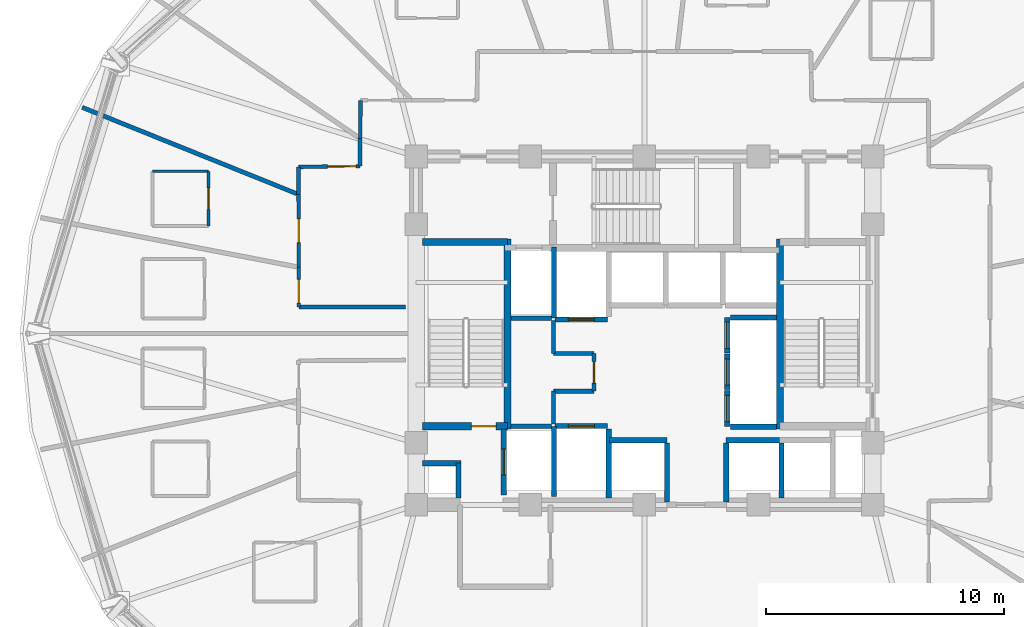
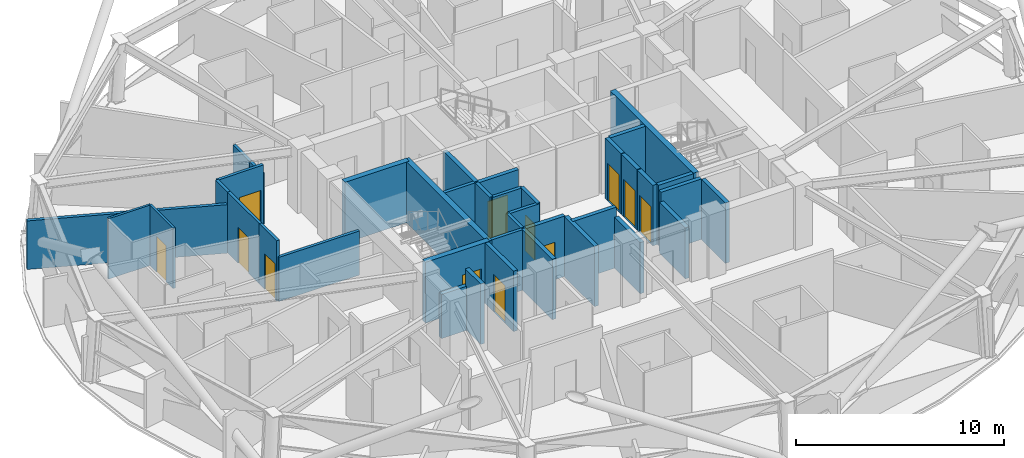
# One storey, part 7 of 14: 39 walls, 12 doors, 12 openings.
"""IFC4 building model written with IfcOpenShell, lengths in metres."""

from ifc_helpers import new_model, si_unit, direction, frame, frame_2d, origin, place, context, subcontext, project, spatial, rectangle, extrude, material, layer, layer_set, type_object, element, fill, save


model = new_model("IFC4")

# Units and contexts
model_context = context("Model", 3, precision=1e-05, world=origin(), true_north=direction((0.0, 1.0)))
body_context = subcontext(model_context, "Body", "Model", "MODEL_VIEW")
ifc_project = project(units=[si_unit("LENGTHUNIT", "METRE"), si_unit("AREAUNIT", "SQUARE_METRE"), si_unit("VOLUMEUNIT", "CUBIC_METRE"), si_unit("PLANEANGLEUNIT", "RADIAN"), si_unit("MASSUNIT", "GRAM", prefix="KILO")], contexts=[model_context])

# Site, building, storey
site_placement = place(None, origin())
site = spatial("IfcSite", under=ifc_project, at=site_placement, CompositionType="ELEMENT")
building_placement = place(site_placement, origin())
building = spatial("IfcBuilding", under=site, at=building_placement, Name="Vantalir Tower", CompositionType="ELEMENT")
storey_placement = place(building_placement, frame((0.0, 0.0, 112.199951171875)))
storey = spatial("IfcBuildingStorey", under=building, at=storey_placement, Name="L27", CompositionType="ELEMENT", Elevation=112.199951171875)

# Wall
ifc_material_1 = material(Name="Moisture-resistant en-suite partition", Category="gypsum")
ifc_layer_1 = layer(ifc_material_1, 0.125)
ifc_layer_set_1 = layer_set([ifc_layer_1], Name="Moisture-resistant en-suite partition")
wall_type_1 = type_object("IfcWallType", Name="WL-BATH-125", PredefinedType="PARTITIONING", material=ifc_layer_set_1)
wall_1_placement = place(storey_placement, frame((10.81396484375, 31.8291015625, 0.0), z_axis=(0.0, 0.0, 1.0), x_axis=(1.0, 0.0, 0.0)))
element("IfcWall", 1, at=wall_1_placement, inside=storey, type_object=wall_type_1, Name="L27 En-suite 09 North Wall", PredefinedType="PARTITIONING", context=body_context, shape_type="SweptSolid", body=[
    extrude(rectangle(XDim=2.35009765625, YDim=0.125, at=frame_2d((1.175048828125, 0.0))), origin(), (0.0, 0.0, 1.0), 3.550048828125),
])

# Wall, opening, door
wall_2_placement = place(storey_placement, frame((13.1640625, 29.529052734375, 0.0), z_axis=(0.0, 0.0, 1.0), x_axis=(0.0, 1.0, 0.0)))
wall_2 = element("IfcWall", 2, at=wall_2_placement, inside=storey, type_object=wall_type_1, Name="L27 En-suite 09 East Wall", PredefinedType="PARTITIONING", context=body_context, shape_type="SweptSolid", body=[
    extrude(rectangle(XDim=2.300048828125, YDim=0.125, at=frame_2d((1.14990234375, 0.0))), origin(), (0.0, 0.0, 1.0), 3.550048828125),
])
opening_1_placement = place(wall_2_placement, frame((0.699951171875, 0.0, 0.0)))
opening_1 = element("IfcOpeningElement", 3, at=opening_1_placement, cuts=wall_2, Name="Opening D-WC", PredefinedType="OPENING", context=body_context, shape_type="SweptSolid", body=[
    extrude(rectangle(XDim=0.89990234375, YDim=2.10009765625, at=frame_2d((0.449951171875, 1.050048828125))), frame((0.0, 0.072509765625, 0.0), z_axis=(0.0, -1.0, 0.0), x_axis=(1.0, 0.0, 0.0)), (0.0, 0.0, 1.0), 0.14501953125),
])
ifc_material_2 = material(Name="Moisture-resistant hardwood door", Category="wood")
door_type_1 = type_object("IfcDoorType", Name="DR-ENSUITE-900", OperationType="NOTDEFINED", PredefinedType="DOOR", material=ifc_material_2)
door_1_placement = place(opening_1_placement, origin())
door_1 = element("IfcDoor", 4, at=door_1_placement, inside=storey, type_object=door_type_1, Name="L27 En-suite 09 Door", OperationType="SINGLE_SWING_LEFT", OverallHeight=2.10009765625, OverallWidth=0.89990234375, PredefinedType="DOOR", context=body_context, shape_type="SweptSolid", body=[
    extrude(rectangle(XDim=0.89990234375, YDim=2.10009765625, at=frame_2d((0.449951171875, 1.050048828125))), frame((0.0, 0.02490234375, 0.0), z_axis=(0.0, -1.0, 0.0), x_axis=(1.0, 0.0, 0.0)), (0.0, 0.0, 1.0), 0.050048828125),
])
fill(opening_1, door_1)

# Wall
ifc_material_3 = material(Name="Fire-rated hotel corridor acoustic partition", Category="gypsum")
ifc_layer_2 = layer(ifc_material_3, 0.159912109375)
ifc_layer_set_2 = layer_set([ifc_layer_2], Name="Fire-rated hotel corridor acoustic partition")
wall_type_2 = type_object("IfcWallType", Name="WL-CORR-160", PredefinedType="PARTITIONING", material=ifc_layer_set_2)
wall_3_placement = place(storey_placement, frame((21.445068359375, 26.114990234375, 0.0), z_axis=(0.0, 0.0, 1.0), x_axis=(-0.999997504977, 0.00223383991, 0.0)))
element("IfcWall", 5, at=wall_3_placement, inside=storey, type_object=wall_type_2, Name="L27 Corridor Partition 01", PredefinedType="PARTITIONING", context=body_context, shape_type="SweptSolid", body=[
    extrude(rectangle(XDim=4.48095703125, YDim=0.159912109375, at=frame_2d((2.240478515625, 0.0))), origin(), (0.0, 0.0, 1.0), 2.594970703125),
])

# Wall, opening, door
wall_4_placement = place(storey_placement, frame((16.964111328125, 26.125, 0.0), z_axis=(0.0, 0.0, 1.0), x_axis=(-0.001317329068, 0.999999132322, 0.0)))
wall_4 = element("IfcWall", 6, at=wall_4_placement, inside=storey, type_object=wall_type_2, Name="L27 Corridor Partition 02", PredefinedType="PARTITIONING", context=body_context, shape_type="SweptSolid", body=[
    extrude(rectangle(XDim=1.66796875, YDim=0.159912109375, at=frame_2d((0.833984375, 0.0))), origin(), (0.0, 0.0, 1.0), 3.550048828125),
])
opening_2_placement = place(wall_4_placement, frame((0.159912109375, 0.0, 0.0)))
opening_2 = element("IfcOpeningElement", 7, at=opening_2_placement, cuts=wall_4, Name="Opening D-GUEST", PredefinedType="OPENING", context=body_context, shape_type="SweptSolid", body=[
    extrude(rectangle(XDim=1.0, YDim=2.10009765625, at=frame_2d((0.5, 1.050048828125))), frame((0.0, 0.08984375, 0.0), z_axis=(0.0, -1.0, 0.0), x_axis=(1.0, 0.0, 0.0)), (0.0, 0.0, 1.0), 0.179931640625),
])
ifc_material_4 = material(Name="Solid-core teak veneer acoustic fire door", Category="wood")
door_type_2 = type_object("IfcDoorType", Name="DR-GUEST-ENTRY-1000", OperationType="NOTDEFINED", PredefinedType="DOOR", material=ifc_material_4)
door_2_placement = place(opening_2_placement, origin())
door_2 = element("IfcDoor", 8, at=door_2_placement, inside=storey, type_object=door_type_2, Name="L27 Deluxe King Hotel Room 10 Door", OperationType="SINGLE_SWING_RIGHT", OverallHeight=2.10009765625, OverallWidth=1.0, PredefinedType="DOOR", context=body_context, shape_type="SweptSolid", body=[
    extrude(rectangle(XDim=1.0, YDim=2.10009765625, at=frame_2d((0.5, 1.050048828125))), frame((0.0, 0.02490234375, 0.0), z_axis=(0.0, -1.0, 0.0), x_axis=(1.0, 0.0, 0.0)), (0.0, 0.0, 1.0), 0.050048828125),
])
fill(opening_2, door_2)

wall_5_placement = place(storey_placement, frame((16.9619140625, 27.79296875, 0.0), z_axis=(0.0, 0.0, 1.0), x_axis=(-0.001276934314, 0.999999184719, 0.0)))
wall_5 = element("IfcWall", 9, at=wall_5_placement, inside=storey, type_object=wall_type_2, Name="L27 Corridor Partition 03", PredefinedType="PARTITIONING", context=body_context, shape_type="SweptSolid", body=[
    extrude(rectangle(XDim=3.05908203125, YDim=0.159912109375, at=frame_2d((1.529541015625, 0.0))), origin(), (0.0, 0.0, 1.0), 3.550048828125),
])
opening_3_placement = place(wall_5_placement, frame((1.030029296875, 0.0, 0.0)))
opening_3 = element("IfcOpeningElement", 10, at=opening_3_placement, cuts=wall_5, Name="Opening D-GUEST", PredefinedType="OPENING", context=body_context, shape_type="SweptSolid", body=[
    extrude(rectangle(XDim=1.0, YDim=2.10009765625, at=frame_2d((0.5, 1.050048828125))), frame((0.0, 0.08984375, 0.0), z_axis=(0.0, -1.0, 0.0), x_axis=(1.0, 0.0, 0.0)), (0.0, 0.0, 1.0), 0.179931640625),
])
door_3_placement = place(opening_3_placement, origin())
door_3 = element("IfcDoor", 11, at=door_3_placement, inside=storey, type_object=door_type_2, Name="L27 Twin Queen Hotel Room 09 Door", OperationType="SINGLE_SWING_LEFT", OverallHeight=2.10009765625, OverallWidth=1.0, PredefinedType="DOOR", context=body_context, shape_type="SweptSolid", body=[
    extrude(rectangle(XDim=1.0, YDim=2.10009765625, at=frame_2d((0.5, 1.050048828125))), frame((0.0, 0.02490234375, 0.0), z_axis=(0.0, -1.0, 0.0), x_axis=(1.0, 0.0, 0.0)), (0.0, 0.0, 1.0), 0.050048828125),
])
fill(opening_3, door_3)

# Wall
wall_6_placement = place(storey_placement, frame((16.9580078125, 30.85205078125, 0.0), z_axis=(0.0, 0.0, 1.0), x_axis=(-0.000841927717, 0.999999645579, 0.0)))
element("IfcWall", 12, at=wall_6_placement, inside=storey, type_object=wall_type_2, Name="L27 Corridor Partition 04", PredefinedType="PARTITIONING", context=body_context, shape_type="SweptSolid", body=[
    extrude(rectangle(XDim=1.159912109375, YDim=0.159912109375, at=frame_2d((0.580078125, 0.0))), origin(), (0.0, 0.0, 1.0), 3.550048828125),
])

# Wall, opening, door
wall_7_placement = place(storey_placement, frame((16.95703125, 32.011962890625, 0.0), z_axis=(0.0, 0.0, 1.0), x_axis=(0.999940696344, 0.01089053699, 0.0)))
wall_7 = element("IfcWall", 13, at=wall_7_placement, inside=storey, type_object=wall_type_2, Name="L27 Corridor Partition 05", PredefinedType="PARTITIONING", context=body_context, shape_type="SweptSolid", body=[
    extrude(rectangle(XDim=2.578125, YDim=0.159912109375, at=frame_2d((1.2890625, 0.0))), origin(), (0.0, 0.0, 1.0), 3.550048828125),
])
opening_4_placement = place(wall_7_placement, frame((1.218017578125, 0.0, 0.0)))
opening_4 = element("IfcOpeningElement", 14, at=opening_4_placement, cuts=wall_7, Name="Opening D-STE", PredefinedType="OPENING", context=body_context, shape_type="SweptSolid", body=[
    extrude(rectangle(XDim=1.199951171875, YDim=2.10009765625, at=frame_2d((0.60009765625, 1.050048828125))), frame((0.0, 0.08984375, 0.0), z_axis=(0.0, -1.0, 0.0), x_axis=(1.0, 0.0, 0.0)), (0.0, 0.0, 1.0), 0.179931640625),
])
ifc_material_5 = material(Name="Solid-core teak veneer suite entrance door", Category="wood")
door_type_3 = type_object("IfcDoorType", Name="DR-SUITE-ENTRY-1200", OperationType="NOTDEFINED", PredefinedType="DOOR", material=ifc_material_5)
door_4_placement = place(opening_4_placement, origin())
door_4 = element("IfcDoor", 15, at=door_4_placement, inside=storey, type_object=door_type_3, Name="L27 Club Reading Lounge 08 Door", OperationType="SINGLE_SWING_RIGHT", OverallHeight=2.10009765625, OverallWidth=1.199951171875, PredefinedType="DOOR", context=body_context, shape_type="SweptSolid", body=[
    extrude(rectangle(XDim=1.199951171875, YDim=2.10009765625, at=frame_2d((0.60009765625, 1.050048828125))), frame((0.0, 0.02490234375, 0.0), z_axis=(0.0, -1.0, 0.0), x_axis=(1.0, 0.0, 0.0)), (0.0, 0.0, 1.0), 0.050048828125),
])
fill(opening_4, door_4)

# Walls
wall_8_placement = place(storey_placement, frame((19.534912109375, 32.0400390625, 0.0), z_axis=(0.0, 0.0, 1.0), x_axis=(0.0086149356, 0.999962890754, 0.0)))
element("IfcWall", 16, at=wall_8_placement, inside=storey, type_object=wall_type_2, Name="L27 Corridor Partition 06", PredefinedType="PARTITIONING", context=body_context, shape_type="SweptSolid", body=[
    extrude(rectangle(XDim=1.161865234375, YDim=0.159912109375, at=frame_2d((0.5810546875, 0.0))), origin(), (0.0, 0.0, 1.0), 3.006103515625),
])
wall_9_placement = place(storey_placement, frame((19.544921875, 33.201904296875, 0.0), z_axis=(0.0, 0.0, 1.0), x_axis=(0.009400646005, 0.999955812951, 0.0)))
element("IfcWall", 17, at=wall_9_placement, inside=storey, type_object=wall_type_2, Name="L27 Corridor Partition 07", PredefinedType="PARTITIONING", context=body_context, shape_type="SweptSolid", body=[
    extrude(rectangle(XDim=1.610107421875, YDim=0.159912109375, at=frame_2d((0.80517578125, 0.0))), origin(), (0.0, 0.0, 1.0), 3.006103515625),
])
ifc_material_6 = material(Name="Concrete blockwork with fireboard lining", Category="masonry")
ifc_layer_3 = layer(ifc_material_6, 0.219970703125)
ifc_layer_set_3 = layer_set([ifc_layer_3], Name="Concrete blockwork with fireboard lining")
wall_type_3 = type_object("IfcWallType", Name="WL-FFL-220", PredefinedType="PARTITIONING", material=ifc_layer_set_3)
wall_10_placement = place(storey_placement, frame((30.0, 18.080078125, 0.0), z_axis=(0.0, 0.0, 1.0), x_axis=(0.0, 1.0, 0.0)))
element("IfcWall", 18, at=wall_10_placement, inside=storey, type_object=wall_type_3, Name="L27 Service Lift SV1 East Shaft Wall", PredefinedType="PARTITIONING", context=body_context, shape_type="SweptSolid", body=[
    extrude(rectangle(XDim=2.89990234375, YDim=0.219970703125, at=frame_2d((1.449951171875, 0.0))), origin(), (0.0, 0.0, 1.0), 3.545166015625),
])
for number, where, z_axis, x_axis, name in (
    (19, (32.449951171875, 17.919921875, 0.0), (0.0, 0.0, 1.0), (0.0, 1.0, 0.0), "L27 Shuttle Lift PL-X1 East Shaft Cheek"),
    (20, (34.949951171875, 17.919921875, 0.0), (0.0, 0.0, 1.0), (0.0, 1.0, 0.0), "L27 Shuttle Lift PL-X3 West Shaft Cheek"),
):
    element("IfcWall", number, at=place(storey_placement, frame(where, z_axis=z_axis, x_axis=x_axis)), inside=storey, type_object=wall_type_3, Name=name, PredefinedType="PARTITIONING", context=body_context, shape_type="SweptSolid", body=[
        extrude(rectangle(XDim=2.469970703125, YDim=0.219970703125, at=frame_2d((1.23486328125, 0.0))), origin(), (0.0, 0.0, 1.0), 3.006103515625),
    ])
wall_11_placement = place(storey_placement, frame((37.27490234375, 18.080078125, 0.0), z_axis=(0.0, 0.0, 1.0), x_axis=(0.0, 1.0, 0.0)))
element("IfcWall", 21, at=wall_11_placement, inside=storey, type_object=wall_type_3, Name="L27 Shuttle Lift PL-X2/X3 Shaft Divider", PredefinedType="PARTITIONING", context=body_context, shape_type="SweptSolid", body=[
    extrude(rectangle(XDim=2.309814453125, YDim=0.219970703125, at=frame_2d((1.15478515625, 0.0))), origin(), (0.0, 0.0, 1.0), 3.545166015625),
])
wall_12_placement = place(storey_placement, frame((23.679931640625, 18.074951171875, 0.0), z_axis=(0.0, 0.0, 1.0), x_axis=(0.0, 1.0, 0.0)))
element("IfcWall", 22, at=wall_12_placement, inside=storey, type_object=wall_type_3, Name="L27 West MEP Riser Wall E", PredefinedType="PARTITIONING", context=body_context, shape_type="SweptSolid", body=[
    extrude(rectangle(XDim=1.47509765625, YDim=0.219970703125, at=frame_2d((0.737548828125, 0.0))), origin(), (0.0, 0.0, 1.0), 3.550048828125),
])
wall_13_placement = place(storey_placement, frame((22.175048828125, 19.550048828125, 0.0), z_axis=(0.0, 0.0, 1.0), x_axis=(1.0, 0.0, 0.0)))
element("IfcWall", 23, at=wall_13_placement, inside=storey, type_object=wall_type_3, Name="L27 West MEP Riser Wall N", PredefinedType="PARTITIONING", context=body_context, shape_type="SweptSolid", body=[
    extrude(rectangle(XDim=1.614990234375, YDim=0.219970703125, at=frame_2d((0.8076171875, 0.0))), origin(), (0.0, 0.0, 1.0), 2.594970703125),
])

# Wall, opening, door
wall_14_placement = place(storey_placement, frame((25.590087890625, 18.219970703125, 0.0), z_axis=(0.0, 0.0, 1.0), x_axis=(0.0, 1.0, 0.0)))
wall_14 = element("IfcWall", 24, at=wall_14_placement, inside=storey, type_object=wall_type_3, Name="L27 Lift FL1 Shaft Front Wall", PredefinedType="PARTITIONING", context=body_context, shape_type="SweptSolid", body=[
    extrude(rectangle(XDim=2.760009765625, YDim=0.219970703125, at=frame_2d((1.3798828125, 0.0))), origin(), (0.0, 0.0, 1.0), 3.550048828125),
])
opening_5_placement = place(wall_14_placement, frame((0.830078125, 0.0, 0.0)))
opening_5 = element("IfcOpeningElement", 25, at=opening_5_placement, cuts=wall_14, Name="Opening LD-FL1", PredefinedType="OPENING", context=body_context, shape_type="SweptSolid", body=[
    extrude(rectangle(XDim=1.10009765625, YDim=2.199951171875, at=frame_2d((0.550048828125, 1.10009765625))), frame((0.0, 0.119873046875, 0.0), z_axis=(0.0, -1.0, 0.0), x_axis=(1.0, 0.0, 0.0)), (0.0, 0.0, 1.0), 0.239990234375),
])
ifc_material_7 = material(Name="Brushed stainless-steel sliding lift landing door", Category="steel")
door_type_4 = type_object("IfcDoorType", Name="DR-LIFT-LANDING-1100", OperationType="DOUBLE_DOOR_SLIDING", PredefinedType="DOOR", material=ifc_material_7)
door_5_placement = place(opening_5_placement, origin())
door_5 = element("IfcDoor", 26, at=door_5_placement, inside=storey, type_object=door_type_4, Name="L27 Lift Landing Door FL1", OperationType="DOUBLE_DOOR_SLIDING", OverallHeight=2.199951171875, OverallWidth=1.10009765625, PredefinedType="DOOR", context=body_context, shape_type="SweptSolid", body=[
    extrude(rectangle(XDim=1.10009765625, YDim=2.199951171875, at=frame_2d((0.550048828125, 1.10009765625))), frame((0.0, 0.02490234375, 0.0), z_axis=(0.0, -1.0, 0.0), x_axis=(1.0, 0.0, 0.0)), (0.0, 0.0, 1.0), 0.050048828125),
])
fill(opening_5, door_5)

wall_15_placement = place(storey_placement, frame((27.739990234375, 21.110107421875, 0.0), z_axis=(0.0, 0.0, 1.0), x_axis=(1.0, 0.0, 0.0)))
wall_15 = element("IfcWall", 27, at=wall_15_placement, inside=storey, type_object=wall_type_3, Name="L27 Lift SV1 Shaft Front Wall", PredefinedType="PARTITIONING", context=body_context, shape_type="SweptSolid", body=[
    extrude(rectangle(XDim=2.219970703125, YDim=0.219970703125, at=frame_2d((1.10986328125, 0.0))), origin(), (0.0, 0.0, 1.0), 3.550048828125),
])
opening_6_placement = place(wall_15_placement, frame((0.56005859375, 0.0, 0.0)))
opening_6 = element("IfcOpeningElement", 28, at=opening_6_placement, cuts=wall_15, Name="Opening LD-SV1", PredefinedType="OPENING", context=body_context, shape_type="SweptSolid", body=[
    extrude(rectangle(XDim=1.10009765625, YDim=2.199951171875, at=frame_2d((0.550048828125, 1.10009765625))), frame((0.0, 0.119873046875, 0.0), z_axis=(0.0, -1.0, 0.0), x_axis=(1.0, 0.0, 0.0)), (0.0, 0.0, 1.0), 0.239990234375),
])
door_6_placement = place(opening_6_placement, origin())
door_6 = element("IfcDoor", 29, at=door_6_placement, inside=storey, type_object=door_type_4, Name="L27 Lift Landing Door SV1", OperationType="DOUBLE_DOOR_SLIDING", OverallHeight=2.199951171875, OverallWidth=1.10009765625, PredefinedType="DOOR", context=body_context, shape_type="SweptSolid", body=[
    extrude(rectangle(XDim=1.10009765625, YDim=2.199951171875, at=frame_2d((0.550048828125, 1.10009765625))), frame((0.0, 0.02490234375, 0.0), z_axis=(0.0, -1.0, 0.0), x_axis=(1.0, 0.0, 0.0)), (0.0, 0.0, 1.0), 0.050048828125),
])
fill(opening_6, door_6)

wall_16_placement = place(storey_placement, frame((27.739990234375, 25.590087890625, 0.0), z_axis=(0.0, 0.0, 1.0), x_axis=(1.0, 0.0, 0.0)))
wall_16 = element("IfcWall", 30, at=wall_16_placement, inside=storey, type_object=wall_type_3, Name="L27 Lift SV2 Shaft Front Wall", PredefinedType="PARTITIONING", context=body_context, shape_type="SweptSolid", body=[
    extrude(rectangle(XDim=2.219970703125, YDim=0.219970703125, at=frame_2d((1.10986328125, 0.0))), origin(), (0.0, 0.0, 1.0), 3.550048828125),
])
opening_7_placement = place(wall_16_placement, frame((0.56005859375, 0.0, 0.0)))
opening_7 = element("IfcOpeningElement", 31, at=opening_7_placement, cuts=wall_16, Name="Opening LD-SV2", PredefinedType="OPENING", context=body_context, shape_type="SweptSolid", body=[
    extrude(rectangle(XDim=1.10009765625, YDim=2.199951171875, at=frame_2d((0.550048828125, 1.10009765625))), frame((0.0, 0.119873046875, 0.0), z_axis=(0.0, -1.0, 0.0), x_axis=(1.0, 0.0, 0.0)), (0.0, 0.0, 1.0), 0.239990234375),
])
door_7_placement = place(opening_7_placement, frame((1.10009765625, 0.0, 0.0), z_axis=(0.0, 0.0, 1.0), x_axis=(-1.0, 0.0, 0.0)))
door_7 = element("IfcDoor", 32, at=door_7_placement, inside=storey, type_object=door_type_4, Name="L27 Lift Landing Door SV2", OperationType="DOUBLE_DOOR_SLIDING", OverallHeight=2.199951171875, OverallWidth=1.10009765625, PredefinedType="DOOR", context=body_context, shape_type="SweptSolid", body=[
    extrude(rectangle(XDim=1.10009765625, YDim=2.199951171875, at=frame_2d((0.550048828125, 1.10009765625))), frame((0.0, 0.02490234375, 0.0), z_axis=(0.0, -1.0, 0.0), x_axis=(1.0, 0.0, 0.0)), (0.0, 0.0, 1.0), 0.050048828125),
])
fill(opening_7, door_7)

# Walls
wall_17_placement = place(storey_placement, frame((30.0400390625, 20.510009765625, 0.0), z_axis=(0.0, 0.0, 1.0), x_axis=(1.0, 0.0, 0.0)))
element("IfcWall", 33, at=wall_17_placement, inside=storey, type_object=wall_type_3, Name="L27 Lift PL-X1 Shaft Front Wall", PredefinedType="PARTITIONING", context=body_context, shape_type="SweptSolid", body=[
    extrude(rectangle(XDim=2.419921875, YDim=0.219970703125, at=frame_2d((1.2099609375, 0.0))), origin(), (0.0, 0.0, 1.0), 3.550048828125),
])
wall_18_placement = place(storey_placement, frame((34.93994140625, 20.510009765625, 0.0), z_axis=(0.0, 0.0, 1.0), x_axis=(1.0, 0.0, 0.0)))
element("IfcWall", 34, at=wall_18_placement, inside=storey, type_object=wall_type_3, Name="L27 Lift PL-X3 Shaft Front Wall", PredefinedType="PARTITIONING", context=body_context, shape_type="SweptSolid", body=[
    extrude(rectangle(XDim=2.239990234375, YDim=0.219970703125, at=frame_2d((1.1201171875, 0.0))), origin(), (0.0, 0.0, 1.0), 3.550048828125),
])

# Wall, opening, door
wall_19_placement = place(storey_placement, frame((34.989990234375, 21.10009765625, 0.0), z_axis=(0.0, 0.0, 1.0), x_axis=(0.0, 1.0, 0.0)))
wall_19 = element("IfcWall", 35, at=wall_19_placement, inside=storey, type_object=wall_type_3, Name="L27 Lift PL-M1 Shaft Front Wall", PredefinedType="PARTITIONING", context=body_context, shape_type="SweptSolid", body=[
    extrude(rectangle(XDim=1.5, YDim=0.219970703125, at=frame_2d((0.75, 0.0))), origin(), (0.0, 0.0, 1.0), 3.550048828125),
])
opening_8_placement = place(wall_19_placement, frame((0.199951171875, 0.0, 0.0)))
opening_8 = element("IfcOpeningElement", 36, at=opening_8_placement, cuts=wall_19, Name="Opening LD-PL-M1", PredefinedType="OPENING", context=body_context, shape_type="SweptSolid", body=[
    extrude(rectangle(XDim=1.10009765625, YDim=2.199951171875, at=frame_2d((0.550048828125, 1.10009765625))), frame((0.0, 0.119873046875, 0.0), z_axis=(0.0, -1.0, 0.0), x_axis=(1.0, 0.0, 0.0)), (0.0, 0.0, 1.0), 0.239990234375),
])
door_8_placement = place(opening_8_placement, origin())
door_8 = element("IfcDoor", 37, at=door_8_placement, inside=storey, type_object=door_type_4, Name="L27 Lift Landing Door PL-M1", OperationType="DOUBLE_DOOR_SLIDING", OverallHeight=2.199951171875, OverallWidth=1.10009765625, PredefinedType="DOOR", context=body_context, shape_type="SweptSolid", body=[
    extrude(rectangle(XDim=1.10009765625, YDim=2.199951171875, at=frame_2d((0.550048828125, 1.10009765625))), frame((0.0, 0.02490234375, 0.0), z_axis=(0.0, -1.0, 0.0), x_axis=(1.0, 0.0, 0.0)), (0.0, 0.0, 1.0), 0.050048828125),
])
fill(opening_8, door_8)

wall_20_placement = place(storey_placement, frame((34.989990234375, 22.639892578125, 0.0), z_axis=(0.0, 0.0, 1.0), x_axis=(0.0, 1.0, 0.0)))
wall_20 = element("IfcWall", 38, at=wall_20_placement, inside=storey, type_object=wall_type_3, Name="L27 Lift PL-M2 Shaft Front Wall", PredefinedType="PARTITIONING", context=body_context, shape_type="SweptSolid", body=[
    extrude(rectangle(XDim=1.5, YDim=0.219970703125, at=frame_2d((0.75, 0.0))), origin(), (0.0, 0.0, 1.0), 3.550048828125),
])
opening_9_placement = place(wall_20_placement, frame((0.199951171875, 0.0, 0.0)))
opening_9 = element("IfcOpeningElement", 39, at=opening_9_placement, cuts=wall_20, Name="Opening LD-PL-M2", PredefinedType="OPENING", context=body_context, shape_type="SweptSolid", body=[
    extrude(rectangle(XDim=1.10009765625, YDim=2.199951171875, at=frame_2d((0.550048828125, 1.10009765625))), frame((0.0, 0.119873046875, 0.0), z_axis=(0.0, -1.0, 0.0), x_axis=(1.0, 0.0, 0.0)), (0.0, 0.0, 1.0), 0.239990234375),
])
door_9_placement = place(opening_9_placement, origin())
door_9 = element("IfcDoor", 40, at=door_9_placement, inside=storey, type_object=door_type_4, Name="L27 Lift Landing Door PL-M2", OperationType="DOUBLE_DOOR_SLIDING", OverallHeight=2.199951171875, OverallWidth=1.10009765625, PredefinedType="DOOR", context=body_context, shape_type="SweptSolid", body=[
    extrude(rectangle(XDim=1.10009765625, YDim=2.199951171875, at=frame_2d((0.550048828125, 1.10009765625))), frame((0.0, 0.02490234375, 0.0), z_axis=(0.0, -1.0, 0.0), x_axis=(1.0, 0.0, 0.0)), (0.0, 0.0, 1.0), 0.050048828125),
])
fill(opening_9, door_9)

wall_21_placement = place(storey_placement, frame((34.989990234375, 24.179931640625, 0.0), z_axis=(0.0, 0.0, 1.0), x_axis=(0.0, 1.0, 0.0)))
wall_21 = element("IfcWall", 41, at=wall_21_placement, inside=storey, type_object=wall_type_3, Name="L27 Lift PL-M3 Shaft Front Wall", PredefinedType="PARTITIONING", context=body_context, shape_type="SweptSolid", body=[
    extrude(rectangle(XDim=1.5, YDim=0.219970703125, at=frame_2d((0.75, 0.0))), origin(), (0.0, 0.0, 1.0), 3.550048828125),
])
opening_10_placement = place(wall_21_placement, frame((0.199951171875, 0.0, 0.0)))
opening_10 = element("IfcOpeningElement", 42, at=opening_10_placement, cuts=wall_21, Name="Opening LD-PL-M3", PredefinedType="OPENING", context=body_context, shape_type="SweptSolid", body=[
    extrude(rectangle(XDim=1.10009765625, YDim=2.199951171875, at=frame_2d((0.550048828125, 1.10009765625))), frame((0.0, 0.119873046875, 0.0), z_axis=(0.0, -1.0, 0.0), x_axis=(1.0, 0.0, 0.0)), (0.0, 0.0, 1.0), 0.239990234375),
])
door_10_placement = place(opening_10_placement, origin())
door_10 = element("IfcDoor", 43, at=door_10_placement, inside=storey, type_object=door_type_4, Name="L27 Lift Landing Door PL-M3", OperationType="DOUBLE_DOOR_SLIDING", OverallHeight=2.199951171875, OverallWidth=1.10009765625, PredefinedType="DOOR", context=body_context, shape_type="SweptSolid", body=[
    extrude(rectangle(XDim=1.10009765625, YDim=2.199951171875, at=frame_2d((0.550048828125, 1.10009765625))), frame((0.0, 0.02490234375, 0.0), z_axis=(0.0, -1.0, 0.0), x_axis=(1.0, 0.0, 0.0)), (0.0, 0.0, 1.0), 0.050048828125),
])
fill(opening_10, door_10)

# Walls
wall_22_placement = place(storey_placement, frame((27.699951171875, 18.14990234375, 0.0), z_axis=(0.0, 0.0, 1.0), x_axis=(0.0, 1.0, 0.0)))
element("IfcWall", 44, at=wall_22_placement, inside=storey, type_object=wall_type_3, Name="L27 Fire Lift FL1 Dividing Wall", PredefinedType="PARTITIONING", context=body_context, shape_type="SweptSolid", body=[
    extrude(rectangle(XDim=2.9501953125, YDim=0.219970703125, at=frame_2d((1.47509765625, 0.0))), origin(), (0.0, 0.0, 1.0), 3.550048828125),
])
wall_23_placement = place(storey_placement, frame((27.699951171875, 25.64990234375, 0.0), z_axis=(0.0, 0.0, 1.0), x_axis=(0.0, 1.0, 0.0)))
element("IfcWall", 45, at=wall_23_placement, inside=storey, type_object=wall_type_3, Name="L27 Fire Lift FL2 Dividing Wall", PredefinedType="PARTITIONING", context=body_context, shape_type="SweptSolid", body=[
    extrude(rectangle(XDim=3.0, YDim=0.219970703125, at=frame_2d((1.5, 0.0))), origin(), (0.0, 0.0, 1.0), 3.550048828125),
])
for number, where, z_axis, x_axis, name in (
    (46, (35.1201171875, 21.080078125, 0.0), (0.0, 0.0, 1.0), (1.0, 0.0, 0.0), "L27 Mid-Rise Bank South Wall"),
    (47, (35.1201171875, 25.679931640625, 0.0), (0.0, 0.0, 1.0), (1.0, 0.0, 0.0), "L27 Mid-Rise Bank North Wall"),
):
    element("IfcWall", number, at=place(storey_placement, frame(where, z_axis=z_axis, x_axis=x_axis)), inside=storey, type_object=wall_type_3, Name=name, PredefinedType="PARTITIONING", context=body_context, shape_type="SweptSolid", body=[
        extrude(rectangle(XDim=1.93994140625, YDim=0.219970703125, at=frame_2d((0.969970703125, 0.0))), origin(), (0.0, 0.0, 1.0), 3.550048828125),
    ])
ifc_material_8 = material(Name="Twin-stud acoustic fire-rated gypsum partition", Category="gypsum")
ifc_layer_4 = layer(ifc_material_8, 0.179931640625)
ifc_layer_set_4 = layer_set([ifc_layer_4], Name="Twin-stud acoustic fire-rated gypsum partition")
wall_type_4 = type_object("IfcWallType", Name="WL-GUEST-180", PredefinedType="PARTITIONING", material=ifc_layer_set_4)
for number, where, z_axis, x_axis, name in (
    (48, (25.889892578125, 21.10009765625, 0.0), (0.0, 0.0, 1.0), (1.0, 0.0, 0.0), "L27 Freed West Core South Wall"),
    (49, (25.889892578125, 25.64990234375, 0.0), (0.0, 0.0, 1.0), (1.0, 0.0, 0.0), "L27 Freed West Core North Wall"),
):
    element("IfcWall", number, at=place(storey_placement, frame(where, z_axis=z_axis, x_axis=x_axis)), inside=storey, type_object=wall_type_4, Name=name, PredefinedType="PARTITIONING", context=body_context, shape_type="SweptSolid", body=[
        extrude(rectangle(XDim=1.7001953125, YDim=0.179931640625, at=frame_2d((0.85009765625, 0.0))), origin(), (0.0, 0.0, 1.0), 3.550048828125),
    ])
wall_24_placement = place(storey_placement, frame((27.679931640625, 21.18994140625, 0.0), z_axis=(0.0, 0.0, 1.0), x_axis=(0.0, 1.0, 0.0)))
element("IfcWall", 50, at=wall_24_placement, inside=storey, type_object=wall_type_4, Name="L27 West IT Room Lower East Wall", PredefinedType="PARTITIONING", context=body_context, shape_type="SweptSolid", body=[
    extrude(rectangle(XDim=1.39013671875, YDim=0.179931640625, at=frame_2d((0.695068359375, 0.0))), origin(), (0.0, 0.0, 1.0), 3.550048828125),
])
wall_25_placement = place(storey_placement, frame((27.679931640625, 22.580078125, 0.0), z_axis=(0.0, 0.0, 1.0), x_axis=(1.0, 0.0, 0.0)))
element("IfcWall", 51, at=wall_25_placement, inside=storey, type_object=wall_type_4, Name="L27 West IT Room Alcove South Wall", PredefinedType="PARTITIONING", context=body_context, shape_type="SweptSolid", body=[
    extrude(rectangle(XDim=1.699951171875, YDim=0.179931640625, at=frame_2d((0.85009765625, 0.0))), origin(), (0.0, 0.0, 1.0), 3.550048828125),
])

# Wall, opening, door
wall_26_placement = place(storey_placement, frame((29.3798828125, 22.580078125, 0.0), z_axis=(0.0, 0.0, 1.0), x_axis=(0.0, 1.0, 0.0)))
wall_26 = element("IfcWall", 52, at=wall_26_placement, inside=storey, type_object=wall_type_4, Name="L27 West IT Room Alcove East Wall", PredefinedType="PARTITIONING", context=body_context, shape_type="SweptSolid", body=[
    extrude(rectangle(XDim=1.579833984375, YDim=0.179931640625, at=frame_2d((0.7900390625, 0.0))), origin(), (0.0, 0.0, 1.0), 3.550048828125),
])
opening_11_placement = place(wall_26_placement, frame((0.340087890625, 0.0, 0.0)))
opening_11 = element("IfcOpeningElement", 53, at=opening_11_placement, cuts=wall_26, Name="Opening D-CR", PredefinedType="OPENING", context=body_context, shape_type="SweptSolid", body=[
    extrude(rectangle(XDim=0.89990234375, YDim=2.10009765625, at=frame_2d((0.449951171875, 1.050048828125))), frame((0.0, 0.099853515625, 0.0), z_axis=(0.0, -1.0, 0.0), x_axis=(1.0, 0.0, 0.0)), (0.0, 0.0, 1.0), 0.199951171875),
])
ifc_material_9 = material(Name="Fire-rated steel core service door", Category="steel")
door_type_5 = type_object("IfcDoorType", Name="DR-CORE-SERV-900", OperationType="NOTDEFINED", PredefinedType="DOOR", material=ifc_material_9)
door_11_placement = place(opening_11_placement, origin())
door_11 = element("IfcDoor", 54, at=door_11_placement, inside=storey, type_object=door_type_5, Name="L27 Core IT Comms Door", OperationType="SINGLE_SWING_RIGHT", OverallHeight=2.10009765625, OverallWidth=0.89990234375, PredefinedType="DOOR", context=body_context, shape_type="SweptSolid", body=[
    extrude(rectangle(XDim=0.89990234375, YDim=2.10009765625, at=frame_2d((0.449951171875, 1.050048828125))), frame((0.0, 0.02490234375, 0.0), z_axis=(0.0, -1.0, 0.0), x_axis=(1.0, 0.0, 0.0)), (0.0, 0.0, 1.0), 0.050048828125),
])
fill(opening_11, door_11)

# Walls
wall_27_placement = place(storey_placement, frame((27.679931640625, 24.159912109375, 0.0), z_axis=(0.0, 0.0, 1.0), x_axis=(1.0, 0.0, 0.0)))
element("IfcWall", 55, at=wall_27_placement, inside=storey, type_object=wall_type_4, Name="L27 West IT Room Alcove North Wall", PredefinedType="PARTITIONING", context=body_context, shape_type="SweptSolid", body=[
    extrude(rectangle(XDim=1.699951171875, YDim=0.179931640625, at=frame_2d((0.85009765625, 0.0))), origin(), (0.0, 0.0, 1.0), 3.550048828125),
])
wall_28_placement = place(storey_placement, frame((27.679931640625, 24.159912109375, 0.0), z_axis=(0.0, 0.0, 1.0), x_axis=(0.0, 1.0, 0.0)))
element("IfcWall", 56, at=wall_28_placement, inside=storey, type_object=wall_type_4, Name="L27 West IT Room Upper East Wall", PredefinedType="PARTITIONING", context=body_context, shape_type="SweptSolid", body=[
    extrude(rectangle(XDim=1.400146484375, YDim=0.179931640625, at=frame_2d((0.7001953125, 0.0))), origin(), (0.0, 0.0, 1.0), 3.550048828125),
])
wall_29_placement = place(storey_placement, frame((16.8798828125, 30.884033203125, 0.0), z_axis=(0.0, 0.0, 1.0), x_axis=(-0.927683813389, 0.373366766567, 0.0)))
element("IfcWall", 57, at=wall_29_placement, inside=storey, type_object=wall_type_4, Name="L27 Radial Suite Partition 09", PredefinedType="PARTITIONING", context=body_context, shape_type="SweptSolid", body=[
    extrude(rectangle(XDim=9.73046875, YDim=0.179931640625, at=frame_2d((4.865234375, 0.0))), origin(), (0.0, 0.0, 1.0), 2.85107421875),
])

# Wall, opening, door
ifc_material_10 = material(Name="Concrete C50/60", Category="concrete")
ifc_layer_5 = layer(ifc_material_10, 0.300048828125)
ifc_layer_set_5 = layer_set([ifc_layer_5], Name="Concrete C50/60")
wall_type_5 = type_object("IfcWallType", Name="WL-STAIR-300", PredefinedType="SHEAR", material=ifc_layer_set_5)
wall_30_placement = place(storey_placement, frame((22.175048828125, 21.10009765625, 0.0), z_axis=(0.0, 0.0, 1.0), x_axis=(1.0, 0.0, 0.0)))
wall_30 = element("IfcWall", 58, at=wall_30_placement, inside=storey, type_object=wall_type_5, Name="L27 Stair ST1 South Wall", PredefinedType="SHEAR", context=body_context, shape_type="SweptSolid", body=[
    extrude(rectangle(XDim=3.56494140625, YDim=0.300048828125, at=frame_2d((1.782470703125, 0.0))), origin(), (0.0, 0.0, 1.0), 3.570068359375),
])
opening_12_placement = place(wall_30_placement, frame((2.044921875, 0.0, 0.0)))
opening_12 = element("IfcOpeningElement", 59, at=opening_12_placement, cuts=wall_30, Name="Opening D-ST", PredefinedType="OPENING", context=body_context, shape_type="SweptSolid", body=[
    extrude(rectangle(XDim=1.050048828125, YDim=2.10009765625, at=frame_2d((0.52490234375, 1.050048828125))), frame((0.0, 0.159912109375, 0.0), z_axis=(0.0, -1.0, 0.0), x_axis=(1.0, 0.0, 0.0)), (0.0, 0.0, 1.0), 0.320068359375),
])
ifc_material_11 = material(Name="Fire-rated steel door leaf", Category="steel")
door_type_6 = type_object("IfcDoorType", Name="DR-FIRE-STAIR-1050", OperationType="NOTDEFINED", PredefinedType="DOOR", material=ifc_material_11)
door_12_placement = place(opening_12_placement, origin())
door_12 = element("IfcDoor", 60, at=door_12_placement, inside=storey, type_object=door_type_6, Name="L27 Exit Stair ST1 Fire Door", OperationType="SINGLE_SWING_RIGHT", OverallHeight=2.10009765625, OverallWidth=1.050048828125, PredefinedType="DOOR", context=body_context, shape_type="SweptSolid", body=[
    extrude(rectangle(XDim=1.050048828125, YDim=2.10009765625, at=frame_2d((0.52490234375, 1.050048828125))), frame((0.0, 0.02490234375, 0.0), z_axis=(0.0, -1.0, 0.0), x_axis=(1.0, 0.0, 0.0)), (0.0, 0.0, 1.0), 0.050048828125),
])
fill(opening_12, door_12)

# Walls
wall_31_placement = place(storey_placement, frame((22.175048828125, 28.85009765625, 0.0), z_axis=(0.0, 0.0, 1.0), x_axis=(1.0, 0.0, 0.0)))
element("IfcWall", 61, at=wall_31_placement, inside=storey, type_object=wall_type_5, Name="L27 Stair ST1 North Wall", PredefinedType="SHEAR", context=body_context, shape_type="SweptSolid", body=[
    extrude(rectangle(XDim=3.56494140625, YDim=0.300048828125, at=frame_2d((1.782470703125, 0.0))), origin(), (0.0, 0.0, 1.0), 3.570068359375),
])
for number, where, z_axis, x_axis, name in (
    (62, (25.739990234375, 20.97998046875, 0.0), (0.0, 0.0, 1.0), (0.0, 1.0, 0.0), "L27 Stair ST1 East Wall"),
    (63, (37.2099609375, 20.97998046875, 0.0), (0.0, 0.0, 1.0), (0.0, 1.0, 0.0), "L27 Stair ST2 West Wall"),
):
    element("IfcWall", number, at=place(storey_placement, frame(where, z_axis=z_axis, x_axis=x_axis)), inside=storey, type_object=wall_type_5, Name=name, PredefinedType="SHEAR", context=body_context, shape_type="SweptSolid", body=[
        extrude(rectangle(XDim=7.989990234375, YDim=0.300048828125, at=frame_2d((3.9951171875, 0.0))), origin(), (0.0, 0.0, 1.0), 3.570068359375),
    ])

save(model, "model.ifc")
